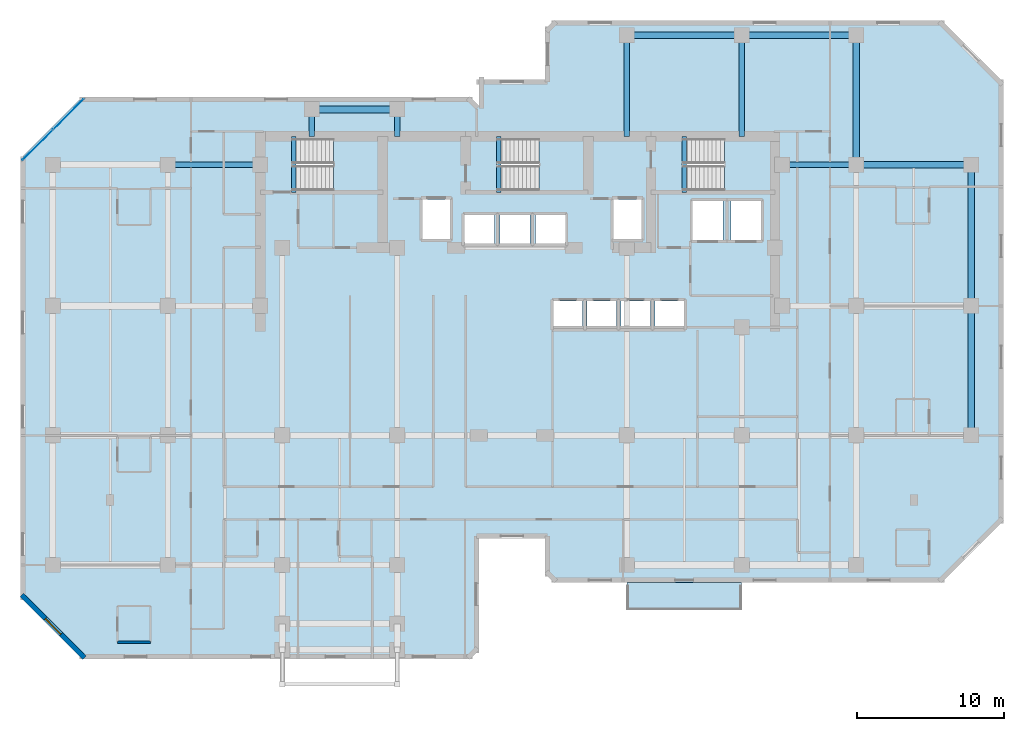
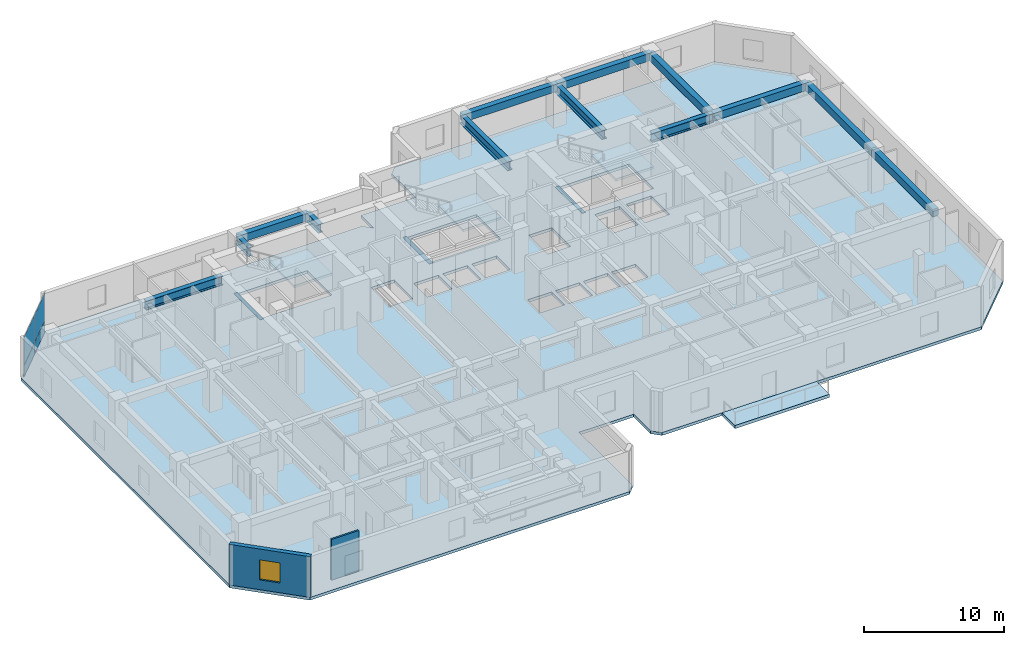
# One storey, part 4 of 11: 16 beams, 5 slabs, 4 plates, 2 walls, 1 window, 1 opening, 4 elements without a shape of their own.
"""IFC4 building model written with IfcOpenShell, lengths in metres."""

from ifc_helpers import new_model, si_unit, direction, frame, frame_2d, origin, origin_2d, place, context, subcontext, project, spatial, polyline, rectangle, i_section, outline, extrude, material, layer, layer_set, material_profile, profile_set, type_object, element, fill, aggregate, save


model = new_model("IFC4")

# Units and contexts
model_context = context("Model", 3, precision=1e-05, world=origin(), true_north=direction((0.0, 1.0)))
body_context = subcontext(model_context, "Body", "Model", "MODEL_VIEW")
ifc_project = project(units=[si_unit("LENGTHUNIT", "METRE"), si_unit("AREAUNIT", "SQUARE_METRE"), si_unit("VOLUMEUNIT", "CUBIC_METRE"), si_unit("PLANEANGLEUNIT", "RADIAN"), si_unit("MASSUNIT", "GRAM", prefix="KILO")], contexts=[model_context])

# Site, building, storey
site_placement = place(None, origin())
site = spatial("IfcSite", under=ifc_project, at=site_placement, CompositionType="ELEMENT")
building_placement = place(site_placement, origin())
building = spatial("IfcBuilding", under=site, at=building_placement, Name="Kestravale Grand Hotel", CompositionType="ELEMENT")
storey_placement = place(building_placement, frame((0.0, 0.0, 161.199951171875)))
storey = spatial("IfcBuildingStorey", under=building, at=storey_placement, Name="L40", CompositionType="ELEMENT", Elevation=161.199951171875)

# Beams
ifc_material_1 = material(Name="Concrete f'c 45 MPa", Category="concrete")
ifc_material_profile_1 = material_profile(ifc_material_1, rectangle(XDim=0.300048828125, YDim=0.39990234375, at=origin_2d()))
ifc_profile_set_1 = profile_set([ifc_material_profile_1], Name="Concrete f'c 45 MPa")
beam_type_1 = type_object("IfcBeamType", Name="B-FLR-LNT400", PredefinedType="LINTEL", material=ifc_profile_set_1)
for number, where, z_axis, x_axis, name in (
    (1, (24.159912109375, 36.52001953125, -0.199951171875), (0.0, 1.0, 0.0), (-1.0, 0.0, 0.0), "L40 ST1 flight bottom header beam"),
    (2, (38.110107421875, 36.52001953125, -0.199951171875), (0.0, 1.0, 0.0), (-1.0, 0.0, 0.0), "L40 ST2 flight bottom header beam"),
    (3, (50.7099609375, 36.52001953125, -0.199951171875), (0.0, 1.0, 0.0), (-1.0, 0.0, 0.0), "L40 ST3 flight bottom header beam"),
):
    element("IfcBeam", number, at=place(storey_placement, frame(where, z_axis=z_axis, x_axis=x_axis)), inside=storey, type_object=beam_type_1, Name=name, PredefinedType="LINTEL", context=body_context, shape_type="SweptSolid", body=[
        extrude(rectangle(XDim=0.300048828125, YDim=0.39990234375, at=origin_2d()), origin(), (0.0, 0.0, 1.0), 3.800048828125),
    ])
ifc_material_2 = material(Name="Concrete f'c 45 MPa", Category="concrete")
ifc_material_profile_2 = material_profile(ifc_material_2, rectangle(XDim=0.449951171875, YDim=0.64990234375, at=origin_2d()))
ifc_profile_set_2 = profile_set([ifc_material_profile_2], Name="Concrete f'c 45 MPa")
beam_type_2 = type_object("IfcBeamType", Name="B-FLR-RC650", PredefinedType="SPANDREL", material=ifc_profile_set_2)
for number, where, z_axis, x_axis, name in (
    (4, (62.39990234375, 38.39990234375, 3.22509765625), (1.0, 0.0, 0.0), (0.0, 1.0, 0.0), "L40 spandrel F:10-11"),
    (5, (46.800048828125, 47.199951171875, 3.22509765625), (1.0, 0.0, 0.0), (0.0, 1.0, 0.0), "L40 spandrel G:8-9"),
):
    element("IfcBeam", number, at=place(storey_placement, frame(where, z_axis=z_axis, x_axis=x_axis)), inside=storey, type_object=beam_type_2, Name=name, PredefinedType="SPANDREL", context=body_context, shape_type="SweptSolid", body=[
        extrude(rectangle(XDim=0.449951171875, YDim=0.64990234375, at=origin_2d()), origin(), (0.0, 0.0, 1.0), 7.800048828125),
    ])
beam_1_placement = place(storey_placement, frame((54.60009765625, 47.199951171875, 3.22509765625), z_axis=(1.0, 0.0, 0.0), x_axis=(0.0, 1.0, 0.0)))
element("IfcBeam", 6, at=beam_1_placement, inside=storey, type_object=beam_type_2, Name="L40 spandrel G:9-10", PredefinedType="SPANDREL", context=body_context, shape_type="SweptSolid", body=[
    extrude(rectangle(XDim=0.449951171875, YDim=0.64990234375, at=origin_2d()), origin(), (0.0, 0.0, 1.0), 7.7998046875),
])
beam_2_placement = place(storey_placement, frame((25.39990234375, 42.14990234375, 3.22509765625), z_axis=(1.0, 0.0, 0.0), x_axis=(0.0, 1.0, 0.0)))
element("IfcBeam", 7, at=beam_2_placement, inside=storey, type_object=beam_type_2, Name="L40 perimeter tie spandrel FN:4-5", PredefinedType="SPANDREL", context=body_context, shape_type="SweptSolid", body=[
    extrude(rectangle(XDim=0.449951171875, YDim=0.64990234375, at=origin_2d()), origin(), (0.0, 0.0, 1.0), 5.800048828125),
])
for number, where, z_axis, x_axis, name in (
    (8, (62.39990234375, 38.39990234375, 3.22509765625), (0.0, 1.0, 0.0), (-1.0, 0.0, 0.0), "L40 spandrel 10:F-G"),
    (9, (70.199951171875, 20.0, 3.22509765625), (0.0, 1.0, 0.0), (-1.0, 0.0, 0.0), "L40 spandrel 11:D-E"),
):
    element("IfcBeam", number, at=place(storey_placement, frame(where, z_axis=z_axis, x_axis=x_axis)), inside=storey, type_object=beam_type_2, Name=name, PredefinedType="SPANDREL", context=body_context, shape_type="SweptSolid", body=[
        extrude(rectangle(XDim=0.449951171875, YDim=0.64990234375, at=origin_2d()), origin(), (0.0, 0.0, 1.0), 8.800048828125),
    ])
beam_3_placement = place(storey_placement, frame((70.199951171875, 28.800048828125, 3.22509765625), z_axis=(0.0, 1.0, 0.0), x_axis=(-1.0, 0.0, 0.0)))
element("IfcBeam", 10, at=beam_3_placement, inside=storey, type_object=beam_type_2, Name="L40 spandrel 11:E-F", PredefinedType="SPANDREL", context=body_context, shape_type="SweptSolid", body=[
    extrude(rectangle(XDim=0.449951171875, YDim=0.64990234375, at=origin_2d()), origin(), (0.0, 0.0, 1.0), 9.599853515625),
])
ifc_material_3 = material(Name="Steel ASTM A992 Grade 50", Category="steel")
ifc_material_profile_3 = material_profile(ifc_material_3, i_section(OverallWidth=0.381103515625, OverallDepth=0.77197265625, WebThickness=0.0166015625, FlangeThickness=0.027099609375, FilletRadius=0.023681640625, at=origin_2d()))
ifc_profile_set_3 = profile_set([ifc_material_profile_3], Name="Steel ASTM A992 Grade 50")
beam_type_3 = type_object("IfcBeamType", Name="B-GRD-W30", PredefinedType="BEAM", material=ifc_profile_set_3)
beam_4_placement = place(storey_placement, frame((15.60009765625, 38.39990234375, 3.1640625), z_axis=(1.0, 0.0, 0.0), x_axis=(0.0, 1.0, 0.0)))
element("IfcBeam", 11, at=beam_4_placement, inside=storey, type_object=beam_type_3, Name="L40 girder F:3-CW", PredefinedType="BEAM", context=body_context, shape_type="SweptSolid", body=[
    extrude(i_section(OverallWidth=0.381103515625, OverallDepth=0.77197265625, WebThickness=0.0166015625, FlangeThickness=0.027099609375, FilletRadius=0.023681640625, at=origin_2d()), origin(), (0.0, 0.0, 1.0), 6.2998046875),
])
beam_5_placement = place(storey_placement, frame((57.35009765625, 38.39990234375, 3.1640625), z_axis=(1.0, 0.0, 0.0), x_axis=(0.0, 1.0, 0.0)))
element("IfcBeam", 12, at=beam_5_placement, inside=storey, type_object=beam_type_3, Name="L40 girder F:CE-10", PredefinedType="BEAM", context=body_context, shape_type="SweptSolid", body=[
    extrude(i_section(OverallWidth=0.381103515625, OverallDepth=0.77197265625, WebThickness=0.0166015625, FlangeThickness=0.027099609375, FilletRadius=0.023681640625, at=origin_2d()), origin(), (0.0, 0.0, 1.0), 5.0498046875),
])
for number, where, z_axis, x_axis, name in (
    (13, (25.39990234375, 40.320068359375, 3.1640625), (0.0, 1.0, 0.0), (-1.0, 0.0, 0.0), "L40 north wing tie girder 4:CN-FN"),
    (14, (31.199951171875, 40.320068359375, 3.1640625), (0.0, 1.0, 0.0), (-1.0, 0.0, 0.0), "L40 north wing tie girder 5:CN-FN"),
):
    element("IfcBeam", number, at=place(storey_placement, frame(where, z_axis=z_axis, x_axis=x_axis)), inside=storey, type_object=beam_type_3, Name=name, PredefinedType="BEAM", context=body_context, shape_type="SweptSolid", body=[
        extrude(i_section(OverallWidth=0.381103515625, OverallDepth=0.77197265625, WebThickness=0.0166015625, FlangeThickness=0.027099609375, FilletRadius=0.023681640625, at=origin_2d()), origin(), (0.0, 0.0, 1.0), 1.829833984375),
    ])
for number, where, z_axis, x_axis, name in (
    (15, (46.800048828125, 40.320068359375, 3.1640625), (0.0, 1.0, 0.0), (-1.0, 0.0, 0.0), "L40 north wing tie girder 8:CN-G"),
    (16, (54.60009765625, 40.320068359375, 3.1640625), (0.0, 1.0, 0.0), (-1.0, 0.0, 0.0), "L40 north wing tie girder 9:CN-G"),
):
    element("IfcBeam", number, at=place(storey_placement, frame(where, z_axis=z_axis, x_axis=x_axis)), inside=storey, type_object=beam_type_3, Name=name, PredefinedType="BEAM", context=body_context, shape_type="SweptSolid", body=[
        extrude(i_section(OverallWidth=0.381103515625, OverallDepth=0.77197265625, WebThickness=0.0166015625, FlangeThickness=0.027099609375, FilletRadius=0.023681640625, at=origin_2d()), origin(), (0.0, 0.0, 1.0), 6.8798828125),
    ])

# Curtain wall, plates
ifc_material_4 = material(Name="Thermally broken champagne-bronze aluminium and low-E glazing", Category="aluminium")
ifc_layer_1 = layer(ifc_material_4, 0.179931640625)
ifc_layer_set_1 = layer_set([ifc_layer_1], Name="CW-Z3")
curtain_wall_type = type_object("IfcCurtainWallType", Name="CW-Z3", PredefinedType="NOTDEFINED", material=ifc_layer_set_1)
curtain_wall_placement = place(storey_placement, origin())
curtain_wall = element("IfcCurtainWall", 17, at=curtain_wall_placement, inside=storey, type_object=curtain_wall_type, Name="L40 unitised curtain wall 18", PredefinedType="NOTDEFINED")
ifc_material_5 = material(Name="Insulated clear low-E double glazing IGU", Category="glass")
ifc_layer_2 = layer(ifc_material_5, 0.031982421875)
ifc_layer_set_2 = layer_set([ifc_layer_2], Name="CW-PNL-32")
plate_type = type_object("IfcPlateType", Name="CW-PNL-32", PredefinedType="CURTAIN_PANEL", material=ifc_layer_set_2)
plate_1_placement = place(storey_placement, frame((8.86572265625, 41.825439453125, 0.06494140625), z_axis=(0.0, 0.0, 1.0), x_axis=(-0.707106781187, -0.707106781187, 0.0)))
plate_1 = element("IfcPlate", 18, at=plate_1_placement, type_object=plate_type, Name="CW-Z3 panel 1.1", PredefinedType="CURTAIN_PANEL", context=body_context, shape_type="SweptSolid", body=[
    extrude(rectangle(XDim=2.892333984375, YDim=0.031982421875, at=origin_2d()), origin(), (0.0, 0.0, 1.0), 0.952392578125),
])
plate_2_placement = place(storey_placement, frame((8.86572265625, 41.825439453125, 1.08251953125), z_axis=(0.0, 0.0, 1.0), x_axis=(-0.707106781187, -0.707106781187, 0.0)))
plate_2 = element("IfcPlate", 19, at=plate_2_placement, type_object=plate_type, Name="CW-Z3 panel 1.2", PredefinedType="CURTAIN_PANEL", context=body_context, shape_type="SweptSolid", body=[
    extrude(rectangle(XDim=2.892333984375, YDim=0.031982421875, at=origin_2d()), origin(), (0.0, 0.0, 1.0), 2.402587890625),
])
plate_3_placement = place(storey_placement, frame((6.774658203125, 39.734130859375, 0.06494140625), z_axis=(0.0, 0.0, 1.0), x_axis=(-0.707106781187, -0.707106781187, 0.0)))
plate_3 = element("IfcPlate", 20, at=plate_3_placement, type_object=plate_type, Name="CW-Z3 panel 2.1", PredefinedType="CURTAIN_PANEL", context=body_context, shape_type="SweptSolid", body=[
    extrude(rectangle(XDim=2.892333984375, YDim=0.031982421875, at=origin_2d()), origin(), (0.0, 0.0, 1.0), 0.952392578125),
])
plate_4_placement = place(storey_placement, frame((6.774658203125, 39.734130859375, 1.08251953125), z_axis=(0.0, 0.0, 1.0), x_axis=(-0.707106781187, -0.707106781187, 0.0)))
plate_4 = element("IfcPlate", 21, at=plate_4_placement, type_object=plate_type, Name="CW-Z3 panel 2.2", PredefinedType="CURTAIN_PANEL", context=body_context, shape_type="SweptSolid", body=[
    extrude(rectangle(XDim=2.892333984375, YDim=0.031982421875, at=origin_2d()), origin(), (0.0, 0.0, 1.0), 2.402587890625),
])
aggregate(curtain_wall, [plate_1, plate_2, plate_3, plate_4])

# Slab
ifc_material_6 = material(Name="Concrete f'c 45 MPa", Category="concrete")
ifc_layer_3 = layer(ifc_material_6, 0.27001953125)
ifc_layer_set_3 = layer_set([ifc_layer_3], Name="ES-TERR-270")
slab_type_1 = type_object("IfcSlabType", Name="ES-TERR-270", PredefinedType="FLOOR", material=ifc_layer_set_3)
slab_1_placement = place(storey_placement, frame((0.0, 0.0, -0.27001953125)))
element("IfcSlab", 22, at=slab_1_placement, inside=storey, type_object=slab_type_1, Name="L40 spiralling planted garden terrace", PredefinedType="FLOOR", context=body_context, shape_type="SweptSolid", body=[
    extrude(outline(polyline([(46.800048828125, 8.14990234375), (54.60009765625, 8.14990234375), (54.60009765625, 10.0), (46.800048828125, 10.0), (46.800048828125, 8.14990234375)])), origin(), (0.0, 0.0, 1.0), 0.27001953125),
])

# Stair, slab
ifc_material_7 = material(Name="Concrete f'c 45 MPa", Category="concrete")
stair_type = type_object("IfcStairType", Name="ST-CORE-380", PredefinedType="HALF_TURN_STAIR", material=ifc_material_7)
stair_1_placement = place(storey_placement, origin())
stair_1 = element("IfcStair", 23, at=stair_1_placement, inside=storey, type_object=stair_type, Name="L40 ST-1", PredefinedType="HALF_TURN_STAIR")
ifc_material_8 = material(Name="Concrete f'c 45 MPa", Category="concrete")
ifc_layer_4 = layer(ifc_material_8, 0.199951171875)
ifc_layer_set_4 = layer_set([ifc_layer_4], Name="SLB-ST-LND200")
slab_type_2 = type_object("IfcSlabType", Name="SLB-ST-LND200", PredefinedType="LANDING", material=ifc_layer_set_4)
slab_2_placement = place(storey_placement, frame((0.0, 0.0, 1.699951171875)))
slab_2 = element("IfcSlab", 24, at=slab_2_placement, type_object=slab_type_2, Name="ST-1 landing 1", PredefinedType="LANDING", context=body_context, shape_type="SweptSolid", body=[
    extrude(outline(polyline([(26.8798828125, 36.64990234375), (30.0, 36.64990234375), (30.0, 40.159912109375), (26.8798828125, 40.159912109375), (26.8798828125, 36.64990234375)])), origin(), (0.0, 0.0, 1.0), 0.2001953125),
])
aggregate(stair_1, [slab_2])

stair_2_placement = place(storey_placement, origin())
stair_2 = element("IfcStair", 25, at=stair_2_placement, inside=storey, type_object=stair_type, Name="L40 ST-2", PredefinedType="HALF_TURN_STAIR")
slab_3_placement = place(storey_placement, frame((0.0, 0.0, 1.699951171875)))
slab_3 = element("IfcSlab", 26, at=slab_3_placement, type_object=slab_type_2, Name="ST-2 landing 1", PredefinedType="LANDING", context=body_context, shape_type="SweptSolid", body=[
    extrude(outline(polyline([(40.830078125, 36.64990234375), (43.949951171875, 36.64990234375), (43.949951171875, 40.159912109375), (40.830078125, 40.159912109375), (40.830078125, 36.64990234375)])), origin(), (0.0, 0.0, 1.0), 0.2001953125),
])
aggregate(stair_2, [slab_3])

stair_3_placement = place(storey_placement, origin())
stair_3 = element("IfcStair", 27, at=stair_3_placement, inside=storey, type_object=stair_type, Name="L40 ST-3", PredefinedType="HALF_TURN_STAIR")
slab_4_placement = place(storey_placement, frame((0.0, 0.0, 1.699951171875)))
slab_4 = element("IfcSlab", 28, at=slab_4_placement, type_object=slab_type_2, Name="ST-3 landing 1", PredefinedType="LANDING", context=body_context, shape_type="SweptSolid", body=[
    extrude(outline(polyline([(53.429931640625, 36.64990234375), (56.550048828125, 36.64990234375), (56.550048828125, 40.159912109375), (53.429931640625, 40.159912109375), (53.429931640625, 36.64990234375)])), origin(), (0.0, 0.0, 1.0), 0.2001953125),
])
aggregate(stair_3, [slab_4])

# Slab
ifc_material_9 = material(Name="Concrete f'c 45 MPa", Category="concrete")
ifc_layer_5 = layer(ifc_material_9, 0.25)
ifc_layer_set_5 = layer_set([ifc_layer_5], Name="SS-FLR-250")
slab_type_3 = type_object("IfcSlabType", Name="SS-FLR-250", PredefinedType="FLOOR", material=ifc_layer_set_5)
slab_5_placement = place(storey_placement, frame((0.0, 0.0, -0.25)))
element("IfcSlab", 29, at=slab_5_placement, inside=storey, type_object=slab_type_3, Name="L40 structural floor slab", PredefinedType="FLOOR", context=body_context, shape_type="SweptSolid", body=[
    extrude(outline(polyline([(9.800048828125, 4.800048828125), (36.14990234375, 4.800048828125), (36.75, 5.39990234375), (36.75, 13.0), (41.25, 13.0), (41.25, 10.60009765625), (41.85009765625, 10.0), (68.199951171875, 10.0), (72.39990234375, 14.199951171875), (72.39990234375, 44.0), (68.199951171875, 48.199951171875), (41.85009765625, 48.199951171875), (41.25, 47.60009765625), (41.25, 44.199951171875), (36.75, 44.199951171875), (36.75, 42.39990234375), (36.14990234375, 43.0), (9.800048828125, 43.0), (5.60009765625, 38.800048828125), (5.60009765625, 9.0), (9.800048828125, 4.800048828125)]), holes=[polyline([(24.080078125, 36.64990234375), (30.0, 36.64990234375), (30.0, 40.159912109375), (24.080078125, 40.159912109375), (24.080078125, 36.64990234375)]), polyline([(38.030029296875, 36.64990234375), (43.949951171875, 36.64990234375), (43.949951171875, 40.159912109375), (38.030029296875, 40.159912109375), (38.030029296875, 36.64990234375)]), polyline([(50.6298828125, 36.64990234375), (56.550048828125, 36.64990234375), (56.550048828125, 40.159912109375), (50.6298828125, 40.159912109375), (50.6298828125, 36.64990234375)]), polyline([(41.804931640625, 27.280029296875), (43.794921875, 27.280029296875), (43.794921875, 29.1201171875), (41.804931640625, 29.1201171875), (41.804931640625, 27.280029296875)]), polyline([(44.10498046875, 27.280029296875), (46.094970703125, 27.280029296875), (46.094970703125, 29.1201171875), (44.10498046875, 29.1201171875), (44.10498046875, 27.280029296875)]), polyline([(46.405029296875, 27.280029296875), (48.39501953125, 27.280029296875), (48.39501953125, 29.1201171875), (46.405029296875, 29.1201171875), (46.405029296875, 27.280029296875)]), polyline([(48.705078125, 27.280029296875), (50.695068359375, 27.280029296875), (50.695068359375, 29.1201171875), (48.705078125, 29.1201171875), (48.705078125, 27.280029296875)]), polyline([(35.780029296875, 33.030029296875), (37.820068359375, 33.030029296875), (37.820068359375, 34.969970703125), (35.780029296875, 34.969970703125), (35.780029296875, 33.030029296875)]), polyline([(38.179931640625, 33.030029296875), (40.219970703125, 33.030029296875), (40.219970703125, 34.969970703125), (38.179931640625, 34.969970703125), (38.179931640625, 33.030029296875)]), polyline([(40.580078125, 33.030029296875), (42.6201171875, 33.030029296875), (42.6201171875, 34.969970703125), (40.580078125, 34.969970703125), (40.580078125, 33.030029296875)]), polyline([(32.905029296875, 33.35498046875), (34.794921875, 33.35498046875), (34.794921875, 36.044921875), (32.905029296875, 36.044921875), (32.905029296875, 33.35498046875)]), polyline([(45.905029296875, 33.35498046875), (47.794921875, 33.35498046875), (47.794921875, 36.044921875), (45.905029296875, 36.044921875), (45.905029296875, 33.35498046875)]), polyline([(51.280029296875, 33.280029296875), (53.320068359375, 33.280029296875), (53.320068359375, 35.919921875), (51.280029296875, 35.919921875), (51.280029296875, 33.280029296875)]), polyline([(53.8798828125, 33.280029296875), (55.919921875, 33.280029296875), (55.919921875, 35.919921875), (53.8798828125, 35.919921875), (53.8798828125, 33.280029296875)])]), origin(), (0.0, 0.0, 1.0), 0.25),
])

# Wall, opening, window
ifc_material_10 = material(Name="Precast concrete f'c 45 MPa", Category="concrete")
ifc_layer_6 = layer(ifc_material_10, 0.340087890625)
ifc_layer_set_6 = layer_set([ifc_layer_6], Name="EW-PREC-340")
wall_type_1 = type_object("IfcWallType", Name="EW-PREC-340", PredefinedType="SOLIDWALL", material=ifc_layer_set_6)
wall_1_placement = place(storey_placement, frame((5.69189453125, 9.1484375, 0.0), z_axis=(0.0, 0.0, 1.0), x_axis=(0.707106781187, -0.707106781187, 0.0)))
wall_1 = element("IfcWall", 30, at=wall_1_placement, inside=storey, type_object=wall_type_1, Name="L40 fluted precast facade wall 20", PredefinedType="SOLIDWALL", context=body_context, shape_type="SweptSolid", body=[
    extrude(rectangle(XDim=6.019775390625, YDim=0.340087890625, at=frame_2d((3.009765625, 0.0))), origin(), (0.0, 0.0, 1.0), 3.550048828125),
])
opening_placement = place(wall_1_placement, frame((2.260009765625, 0.0, 0.85009765625)))
opening = element("IfcOpeningElement", 31, at=opening_placement, cuts=wall_1, Name="Opening W-GUEST-1500", PredefinedType="OPENING", context=body_context, shape_type="SweptSolid", body=[
    extrude(rectangle(XDim=1.5, YDim=1.75, at=frame_2d((0.75, 0.875))), frame((0.0, 0.179931640625, 0.0), z_axis=(0.0, -1.0, 0.0), x_axis=(1.0, 0.0, 0.0)), (0.0, 0.0, 1.0), 0.360107421875),
])
ifc_material_11 = material(Name="Insulated low-E double glazing in aluminium frame", Category="aluminium")
window_type = type_object("IfcWindowType", Name="W-GUEST-1500", PartitioningType="SINGLE_PANEL", PredefinedType="WINDOW", material=ifc_material_11)
window_placement = place(opening_placement, origin())
window = element("IfcWindow", 32, at=window_placement, inside=storey, type_object=window_type, Name="L40 exterior window 20.1", OverallHeight=1.75, OverallWidth=1.5, PartitioningType="SINGLE_PANEL", PredefinedType="WINDOW", context=body_context, shape_type="SweptSolid", body=[
    extrude(rectangle(XDim=1.5, YDim=1.75, at=frame_2d((0.75, 0.875))), frame((0.0, 0.030029296875, 0.0), z_axis=(0.0, -1.0, 0.0), x_axis=(1.0, 0.0, 0.0)), (0.0, 0.0, 1.0), 0.06005859375),
])
fill(opening, window)

# Wall
ifc_material_12 = material(Name="Moisture-resistant tile-backer plumbing chase wall", Category="other")
ifc_layer_7 = layer(ifc_material_12, 0.139892578125)
ifc_layer_set_7 = layer_set([ifc_layer_7], Name="IW-PLB-140")
wall_type_2 = type_object("IfcWallType", Name="IW-PLB-140", PredefinedType="PLUMBINGWALL", material=ifc_layer_set_7)
wall_2_placement = place(storey_placement, frame((12.199951171875, 5.949951171875, 0.0), z_axis=(0.0, 0.0, 1.0), x_axis=(1.0, 0.0, 0.0)))
element("IfcWall", 33, at=wall_2_placement, inside=storey, type_object=wall_type_2, Name="W-L40-U03-BS", PredefinedType="PLUMBINGWALL", context=body_context, shape_type="SweptSolid", body=[
    extrude(rectangle(XDim=2.25, YDim=0.139892578125, at=frame_2d((1.125, 0.0))), origin(), (0.0, 0.0, 1.0), 3.550048828125),
])

save(model, "model.ifc")
